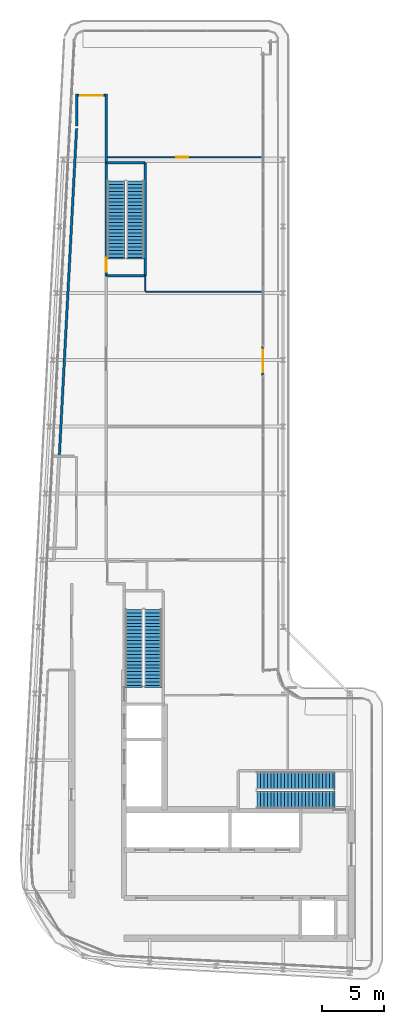
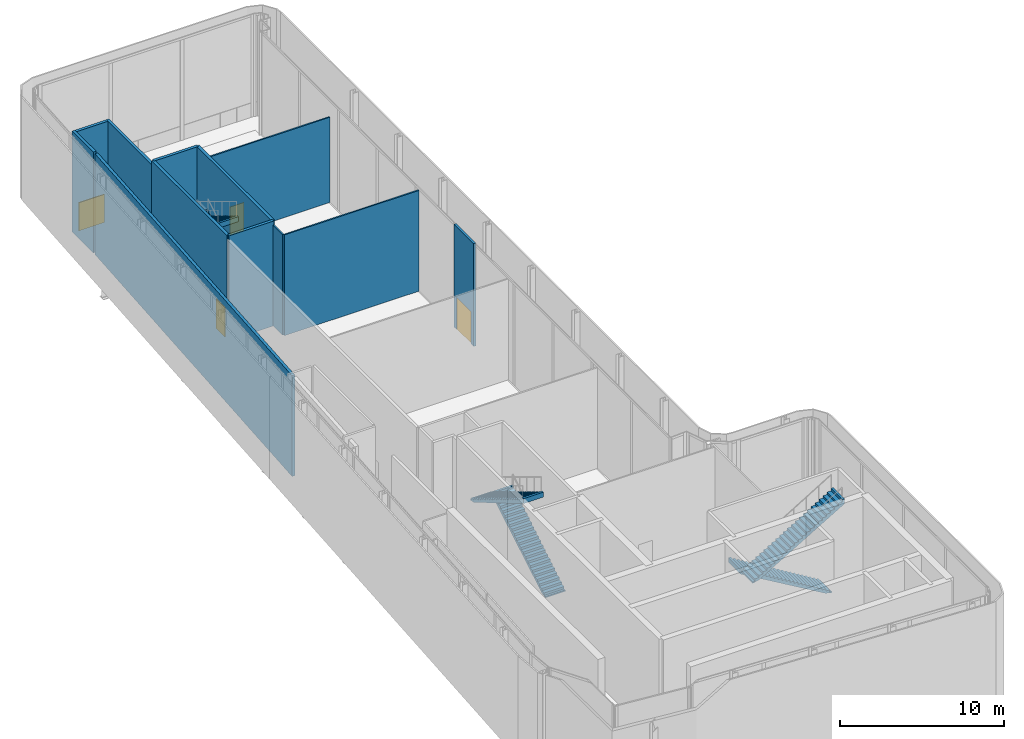
# One storey, part 18 of 23: 12 walls, 6 stair flights, 4 doors, 4 openings, 3 elements without a shape of their own.
"""IFC4 building model written with IfcOpenShell, lengths in metres."""

import ifcopenshell
import ifcopenshell.guid

model = None  # the IFC model being written
_history = None  # IfcOwnerHistory: only IFC2X3 demands one
_inside = {}  # id of a spatial element -> (the spatial element, [elements in it])
_under = {}  # id of a project, library or spatial element -> (it, [spatial elements below it])
_declared = {}  # id of a project -> (the project, [libraries it declares])
_typed = {}  # id of a type object -> (the type object, [elements of that type])
_made_of = {}  # id of a material, layer set ... -> (it, [elements and type objects made of it])


def new_model(schema):
    """Start an empty IFC model of exactly this schema.

    Asked for "IFC4X3", IfcOpenShell would pick the latest addendum, in which some entities
    have other attributes; the version numbers below select the first issue.
    IFC2X3 requires an IfcOwnerHistory on every rooted entity: one is made here for all.
    """
    global model, _history
    if schema == "IFC4X3":
        model = ifcopenshell.file(schema_version=(4, 3, 0, 0))
    else:
        model = ifcopenshell.file(schema=schema)
    _inside.clear()
    _under.clear()
    _declared.clear()
    _typed.clear()
    _made_of.clear()
    _history = None
    if model.schema == "IFC2X3":
        org = make("IfcOrganization", Name="unknown")
        user = make(
            "IfcPersonAndOrganization",
            ThePerson=make("IfcPerson", FamilyName="unknown"),
            TheOrganization=org,
        )
        app = make(
            "IfcApplication",
            ApplicationDeveloper=org,
            Version="unknown",
            ApplicationFullName="unknown",
            ApplicationIdentifier="unknown",
        )
        _history = make(
            "IfcOwnerHistory",
            OwningUser=user,
            OwningApplication=app,
            ChangeAction="ADDED",
            CreationDate=0,
        )
    return model


def make(cls, **values):
    """One entity of the class cls with the attributes given. An attribute that is None is left unset."""
    return model.create_entity(
        cls, **{name: value for name, value in values.items() if value is not None}
    )


def rooted(cls, **values):
    """An entity with a GlobalId (a new one), such as an element, a storey or a relation."""
    return make(cls, GlobalId=ifcopenshell.guid.new(), OwnerHistory=_history, **values)


def si_unit(unit_type, name, prefix=None):
    """IfcSIUnit, for example si_unit("LENGTHUNIT", "METRE", prefix="MILLI")."""
    return make("IfcSIUnit", UnitType=unit_type, Prefix=prefix, Name=name)


def assignment(units):
    """IfcUnitAssignment: the units of a project."""
    return None if units is None else make("IfcUnitAssignment", Units=units)


def point(xyz):
    """IfcCartesianPoint."""
    return None if xyz is None else make("IfcCartesianPoint", Coordinates=xyz)


def direction(xyz):
    """IfcDirection."""
    return None if xyz is None else make("IfcDirection", DirectionRatios=xyz)


def frame(location, z_axis=None, x_axis=None):
    """IfcAxis2Placement3D, a coordinate frame: its origin and axes. An axis left out is left unset."""
    return make(
        "IfcAxis2Placement3D",
        Location=point(location),
        Axis=direction(z_axis),
        RefDirection=direction(x_axis),
    )


def frame_2d(location, x_axis=None):
    """IfcAxis2Placement2D, a coordinate frame in the plane: its origin and x axis."""
    return make(
        "IfcAxis2Placement2D", Location=point(location), RefDirection=direction(x_axis)
    )


def origin():
    """The frame at (0, 0, 0) with its axes left unset."""
    return frame((0.0, 0.0, 0.0))


def place(relative_to, where):
    """IfcLocalPlacement: puts the frame where relative to a parent placement (None: the world)."""
    return make(
        "IfcLocalPlacement", PlacementRelTo=relative_to, RelativePlacement=where
    )


def context(
    kind, dimensions, precision=None, world=None, true_north=None, identifier=None
):
    """IfcGeometricRepresentationContext, for example the 3D "Model" context."""
    return make(
        "IfcGeometricRepresentationContext",
        ContextIdentifier=identifier,
        ContextType=kind,
        CoordinateSpaceDimension=dimensions,
        Precision=precision,
        WorldCoordinateSystem=world,
        TrueNorth=true_north,
    )


def subcontext(parent, identifier, kind, view, scale=None):
    """IfcGeometricRepresentationSubContext, for example "Body" below "Model"."""
    return make(
        "IfcGeometricRepresentationSubContext",
        ContextIdentifier=identifier,
        ContextType=kind,
        ParentContext=parent,
        TargetScale=scale,
        TargetView=view,
    )


def project(units=None, contexts=None):
    """IfcProject with its units and contexts."""
    return rooted(
        "IfcProject",
        Name="project",
        RepresentationContexts=contexts,
        UnitsInContext=assignment(units),
    )


def spatial(cls, under=None, at=None, **own):
    """A site, building, storey or space (cls), placed at a placement, below another one or the project."""
    s = rooted(cls, ObjectPlacement=at, **own)
    if under is not None:
        _under.setdefault(under.id(), (under, []))[1].append(s)
    return s


def polyline(points):
    """IfcPolyline through the points."""
    return make("IfcPolyline", Points=[point(p) for p in points])


def profile(cls, at=None, kind="AREA", **sizes):
    """A parametric profile (cls). Its sizes go by their IFC names, for example OverallWidth=200.0."""
    return make(cls, ProfileType=kind, Position=at, **sizes)


def rectangle(**sizes):
    """IfcRectangleProfileDef."""
    return profile("IfcRectangleProfileDef", **sizes)


def outline(outer, holes=None, kind="AREA"):
    """IfcArbitraryClosedProfileDef: a profile drawn as a closed curve; with holes, ...WithVoids."""
    if holes is None:
        return make("IfcArbitraryClosedProfileDef", ProfileType=kind, OuterCurve=outer)
    return make(
        "IfcArbitraryProfileDefWithVoids",
        ProfileType=kind,
        OuterCurve=outer,
        InnerCurves=holes,
    )


def extrude(swept, where, along, depth):
    """IfcExtrudedAreaSolid: the profile swept, set in the frame where, extruded along a direction by depth."""
    return make(
        "IfcExtrudedAreaSolid",
        SweptArea=swept,
        Position=where,
        ExtrudedDirection=direction(along),
        Depth=depth,
    )


def shape(context_of_items, identifier, shape_type, items):
    """IfcShapeRepresentation: the items that make up one representation, for example the "Body"."""
    return make(
        "IfcShapeRepresentation",
        ContextOfItems=context_of_items,
        RepresentationIdentifier=identifier,
        RepresentationType=shape_type,
        Items=items,
    )


def source(mapping_origin, context_of_items, identifier, shape_type, items):
    """IfcRepresentationMap: a shape defined once, which mapped items show again and again."""
    return make(
        "IfcRepresentationMap",
        MappingOrigin=mapping_origin,
        MappedRepresentation=shape(context_of_items, identifier, shape_type, items),
    )


def transform(
    local_origin,
    x_axis=None,
    y_axis=None,
    z_axis=None,
    scale=None,
    scale2=None,
    scale3=None,
    uniform=True,
):
    """IfcCartesianTransformationOperator3D, or its non-uniform kind. x_axis, y_axis, z_axis: its Axis1, 2, 3."""
    if uniform:
        return make(
            "IfcCartesianTransformationOperator3D",
            Axis1=direction(x_axis),
            Axis2=direction(y_axis),
            LocalOrigin=point(local_origin),
            Scale=scale,
            Axis3=direction(z_axis),
        )
    return make(
        "IfcCartesianTransformationOperator3DnonUniform",
        Axis1=direction(x_axis),
        Axis2=direction(y_axis),
        LocalOrigin=point(local_origin),
        Scale=scale,
        Axis3=direction(z_axis),
        Scale2=scale2,
        Scale3=scale3,
    )


def mapped(mapping_source, mapping_target):
    """IfcMappedItem: shows the shape of a source again, moved by a transform."""
    return make(
        "IfcMappedItem", MappingSource=mapping_source, MappingTarget=mapping_target
    )


def material(Name=None, Category=None):
    """IfcMaterial."""
    return make("IfcMaterial", Name=Name, Category=Category)


def layer(
    of_material, thickness, ventilated=None, Name=None, Category=None, Priority=None
):
    """IfcMaterialLayer: one layer of a wall or slab, of a material (None: an air gap)."""
    return make(
        "IfcMaterialLayer",
        Material=of_material,
        LayerThickness=thickness,
        IsVentilated=ventilated,
        Name=Name,
        Category=Category,
        Priority=Priority,
    )


def layer_set(layers, Name=None):
    """IfcMaterialLayerSet."""
    return make("IfcMaterialLayerSet", MaterialLayers=layers, LayerSetName=Name)


def made_of(thing, what):
    """Note that an element or type object is made of a material, layer set ...; save() writes the relation."""
    if what is not None:
        _made_of.setdefault(what.id(), (what, []))[1].append(thing)
    return thing


def type_object(cls, material=None, **own):
    """A type object (cls), such as IfcWallType, which elements share."""
    return made_of(rooted(cls, **own), material)


def element(
    cls,
    number,
    at=None,
    inside=None,
    cuts=None,
    type_object=None,
    material=None,
    context=None,
    identifier="Body",
    shape_type=None,
    held_by="IfcProductDefinitionShape",
    body=None,
    shapes=None,
    **own,
):
    """One element of the class cls, such as IfcWall. Its Tag is "e" and its number.

    at: its placement. inside: the storey or other place that contains it. cuts: it is an
    opening in that element (IfcRelVoidsElement). A single representation is given by context,
    identifier, shape_type and body (its items); several are given by shapes. held_by: the class
    of the entity that holds the representations. save() writes the other relations.
    """
    e = rooted(cls, Tag="e%d" % number, ObjectPlacement=at, **own)
    if body is not None:
        shapes = [shape(context, identifier, shape_type, body)]
    if shapes is not None:
        e.Representation = make(held_by, Representations=shapes)
    if inside is not None:
        _inside.setdefault(inside.id(), (inside, []))[1].append(e)
    if cuts is not None:
        rooted(
            "IfcRelVoidsElement", RelatingBuildingElement=cuts, RelatedOpeningElement=e
        )
    if type_object is not None:
        _typed.setdefault(type_object.id(), (type_object, []))[1].append(e)
    return made_of(e, material)


def fill(opening, filler):
    """IfcRelFillsElement: the door or window that sits in an opening."""
    return rooted(
        "IfcRelFillsElement",
        RelatingOpeningElement=opening,
        RelatedBuildingElement=filler,
    )


def aggregate(whole, parts):
    """IfcRelAggregates: a whole, such as a stair, and the parts it consists of."""
    return rooted("IfcRelAggregates", RelatingObject=whole, RelatedObjects=parts)


def save(model, path):
    """Write the relations noted so far, then the file.

    IfcRelAggregates (storeys below a building ...), IfcRelContainedInSpatialStructure (elements
    in a storey), IfcRelDefinesByType, IfcRelAssociatesMaterial and IfcRelDeclares: one each for
    every whole, place, type object, material and project.
    """
    for whole, parts in _under.values():
        aggregate(whole, parts)
    for where, things in _inside.values():
        rooted(
            "IfcRelContainedInSpatialStructure",
            RelatedElements=things,
            RelatingStructure=where,
        )
    for kind, things in _typed.values():
        rooted("IfcRelDefinesByType", RelatedObjects=things, RelatingType=kind)
    for what, things in _made_of.values():
        rooted("IfcRelAssociatesMaterial", RelatedObjects=things, RelatingMaterial=what)
    for by, libraries in _declared.values():
        rooted("IfcRelDeclares", RelatingContext=by, RelatedDefinitions=libraries)
    model.write(path)


model = new_model("IFC4")

# Units and contexts
model_context = context("Model", 3, precision=1e-05, world=origin(), true_north=direction((0.0, 1.0)))
body_context = subcontext(model_context, "Body", "Model", "MODEL_VIEW")
ifc_project = project(units=[si_unit("LENGTHUNIT", "METRE"), si_unit("AREAUNIT", "SQUARE_METRE"), si_unit("VOLUMEUNIT", "CUBIC_METRE"), si_unit("PLANEANGLEUNIT", "RADIAN"), si_unit("MASSUNIT", "GRAM", prefix="KILO")], contexts=[model_context])

# Site, building, storey
site_placement = place(None, origin())
site = spatial("IfcSite", under=ifc_project, at=site_placement, CompositionType="ELEMENT")
building_placement = place(site_placement, origin())
building = spatial("IfcBuilding", under=site, at=building_placement, Name="Kheshtan School and Residences Tower", CompositionType="ELEMENT")
storey_placement = place(building_placement, frame((0.0, 0.0, 389.0)))
storey = spatial("IfcBuildingStorey", under=building, at=storey_placement, Name="L92", CompositionType="ELEMENT", Elevation=389.0)

# Walls
ifc_material_1 = material(Name="Gypsum board on steel studs with fire boards", Category="steel")
ifc_layer_1 = layer(ifc_material_1, 0.199951171875)
ifc_layer_set_1 = layer_set([ifc_layer_1], Name="Corridor wall 200")
wall_type_1 = type_object("IfcWallType", Name="Corridor wall 200", PredefinedType="PARTITIONING", material=ifc_layer_set_1)
wall_1_placement = place(storey_placement, frame((29.5048828125, 64.8740234375, 0.0), z_axis=(0.0, 0.0, 1.0), x_axis=(0.052618850307, 0.998614668725, 0.0)))
element("IfcWall", 1, at=wall_1_placement, inside=storey, type_object=wall_type_1, Name="Partition L92-008", PredefinedType="PARTITIONING", context=body_context, shape_type="SweptSolid", body=[
    extrude(rectangle(XDim=26.474609375, YDim=0.199951171875, at=frame_2d((13.2373046875, 0.0))), origin(), (0.0, 0.0, 1.0), 7.5),
])
wall_2_placement = place(storey_placement, frame((30.89990234375, 91.511962890625, 0.0), z_axis=(0.0, 0.0, 1.0), x_axis=(0.0, 1.0, 0.0)))
element("IfcWall", 2, at=wall_2_placement, inside=storey, type_object=wall_type_1, Name="Partition L92-010", PredefinedType="PARTITIONING", context=body_context, shape_type="SweptSolid", body=[
    extrude(rectangle(XDim=2.588134765625, YDim=0.199951171875, at=frame_2d((1.2939453125, 0.0))), origin(), (0.0, 0.0, 1.0), 7.5),
])

# Wall, opening, door
wall_3_placement = place(storey_placement, frame((31.0, 94.0, 0.0), z_axis=(0.0, 0.0, 1.0), x_axis=(1.0, 0.0, 0.0)))
wall_3 = element("IfcWall", 3, at=wall_3_placement, inside=storey, type_object=wall_type_1, Name="Partition L92-011", PredefinedType="PARTITIONING", context=body_context, shape_type="SweptSolid", body=[
    extrude(rectangle(XDim=2.199951171875, YDim=0.199951171875, at=frame_2d((1.10009765625, 0.0))), origin(), (0.0, 0.0, 1.0), 7.5),
])
opening_1_placement = place(wall_3_placement, frame((0.197998046875, 0.0, 0.0)))
opening_1 = element("IfcOpeningElement", 4, at=opening_1_placement, cuts=wall_3, Name="Opening D92-009", PredefinedType="OPENING", context=body_context, shape_type="SweptSolid", body=[
    extrude(rectangle(XDim=1.800048828125, YDim=2.10009765625, at=frame_2d((0.89990234375, 1.050048828125))), frame((0.0, 0.10986328125, 0.0), z_axis=(0.0, -1.0, 0.0), x_axis=(1.0, 0.0, 0.0)), (0.0, 0.0, 1.0), 0.219970703125),
])
ifc_material_2 = material(Name="Steel-framed fire-resisting door leaf", Category="steel")
door_type_1 = type_object("IfcDoorType", Name="Fire double door FD60 1800 x 2100", OperationType="DOUBLE_DOOR_SINGLE_SWING", PredefinedType="DOOR", material=ifc_material_2)
shared_shape_1 = source(origin(), body_context, "Body", "SweptSolid", [
    extrude(rectangle(XDim=1.800048828125, YDim=2.10009765625, at=frame_2d((0.89990234375, 1.050048828125))), frame((0.0, 0.02490234375, 0.0), z_axis=(0.0, -1.0, 0.0), x_axis=(1.0, 0.0, 0.0)), (0.0, 0.0, 1.0), 0.050048828125),
])
door_1_placement = place(opening_1_placement, origin())
door_1 = element("IfcDoor", 5, at=door_1_placement, inside=storey, type_object=door_type_1, Name="Door D92-009", OperationType="DOUBLE_DOOR_SINGLE_SWING", OverallHeight=2.10009765625, OverallWidth=1.800048828125, PredefinedType="DOOR", context=body_context, shape_type="MappedRepresentation", body=[
    mapped(shared_shape_1, transform((0.0, 0.0, 0.0), x_axis=(1.0, 0.0, 0.0), y_axis=(0.0, 1.0, 0.0), z_axis=(0.0, 0.0, 1.0), scale=1.0)),
])
fill(opening_1, door_1)

# Wall
wall_4_placement = place(storey_placement, frame((33.300048828125, 88.56005859375, 0.0), z_axis=(0.0, 0.0, 1.0), x_axis=(0.0, 1.0, 0.0)))
element("IfcWall", 6, at=wall_4_placement, inside=storey, type_object=wall_type_1, Name="Partition L92-013", PredefinedType="PARTITIONING", context=body_context, shape_type="SweptSolid", body=[
    extrude(rectangle(XDim=5.5400390625, YDim=0.199951171875, at=frame_2d((2.77001953125, 0.0))), origin(), (0.0, 0.0, 1.0), 7.5),
])

# Wall, opening, door
ifc_material_3 = material(Name="Aluminium frame wall with insulated infill", Category="aluminium")
ifc_layer_2 = layer(ifc_material_3, 0.14990234375)
ifc_layer_set_2 = layer_set([ifc_layer_2], Name="Glazing frame wall 150")
wall_type_2 = type_object("IfcWallType", Name="Glazing frame wall 150", PredefinedType="SOLIDWALL", material=ifc_layer_set_2)
wall_5_placement = place(storey_placement, frame((45.97509765625, 73.699951171875, 0.0), z_axis=(0.0, 0.0, 1.0), x_axis=(0.0, -1.0, 0.0)))
wall_5 = element("IfcWall", 7, at=wall_5_placement, inside=storey, type_object=wall_type_2, Name="Terrace door wall L92 19", PredefinedType="SOLIDWALL", context=body_context, shape_type="SweptSolid", body=[
    extrude(rectangle(XDim=2.39990234375, YDim=0.14990234375, at=frame_2d((1.199951171875, 0.0))), origin(), (0.0, 0.0, 1.0), 7.64990234375),
])
opening_2_placement = place(wall_5_placement, frame((0.300048828125, 0.0, 0.0)))
opening_2 = element("IfcOpeningElement", 8, at=opening_2_placement, cuts=wall_5, Name="Opening BD", PredefinedType="OPENING", context=body_context, shape_type="SweptSolid", body=[
    extrude(rectangle(XDim=1.800048828125, YDim=2.39990234375, at=frame_2d((0.89990234375, 1.199951171875))), frame((0.0, 0.0849609375, 0.0), z_axis=(0.0, -1.0, 0.0), x_axis=(1.0, 0.0, 0.0)), (0.0, 0.0, 1.0), 0.169921875),
])
ifc_material_4 = material(Name="Clear low-e glass in thermally broken aluminium frame", Category="aluminium")
door_type_2 = type_object("IfcDoorType", Name="Balcony sliding door", OperationType="SLIDING_TO_LEFT", PredefinedType="DOOR", material=ifc_material_4)
shared_shape_2 = source(origin(), body_context, "Body", "SweptSolid", [
    extrude(rectangle(XDim=1.800048828125, YDim=2.39990234375, at=frame_2d((0.89990234375, 1.199951171875))), frame((0.0, 0.02490234375, 0.0), z_axis=(0.0, -1.0, 0.0), x_axis=(1.0, 0.0, 0.0)), (0.0, 0.0, 1.0), 0.050048828125),
])
door_2_placement = place(opening_2_placement, origin())
door_2 = element("IfcDoor", 9, at=door_2_placement, inside=storey, type_object=door_type_2, Name="Terrace door L92 19", OperationType="SLIDING_TO_LEFT", OverallHeight=2.39990234375, OverallWidth=1.800048828125, PredefinedType="DOOR", context=body_context, shape_type="MappedRepresentation", body=[
    mapped(shared_shape_2, transform((0.0, 0.0, 0.0), x_axis=(1.0, 0.0, 0.0), y_axis=(0.0, 1.0, 0.0), z_axis=(0.0, 0.0, 1.0), scale=1.0)),
])
fill(opening_2, door_2)

ifc_material_5 = material(Name="Gypsum board on steel studs", Category="steel")
ifc_layer_3 = layer(ifc_material_5, 0.10009765625)
ifc_layer_set_3 = layer_set([ifc_layer_3], Name="Gypsum partition 100")
wall_type_3 = type_object("IfcWallType", Name="Gypsum partition 100", PredefinedType="PARTITIONING", material=ifc_layer_set_3)
wall_6_placement = place(storey_placement, frame((33.39990234375, 88.990966796875, 0.0), z_axis=(0.0, 0.0, 1.0), x_axis=(1.0, 0.0, 0.0)))
wall_6 = element("IfcWall", 10, at=wall_6_placement, inside=storey, type_object=wall_type_3, Name="Partition L92-019", PredefinedType="PARTITIONING", context=body_context, shape_type="SweptSolid", body=[
    extrude(rectangle(XDim=12.570068359375, YDim=0.10009765625, at=frame_2d((6.28515625, 0.0))), origin(), (0.0, 0.0, 1.0), 6.35009765625),
])
opening_3_placement = place(wall_6_placement, frame((5.550048828125, 0.0, 0.0)))
opening_3 = element("IfcOpeningElement", 11, at=opening_3_placement, cuts=wall_6, Name="Opening D92-010", PredefinedType="OPENING", context=body_context, shape_type="SweptSolid", body=[
    extrude(rectangle(XDim=1.0, YDim=2.10009765625, at=frame_2d((0.5, 1.050048828125))), frame((0.0, 0.06005859375, 0.0), z_axis=(0.0, -1.0, 0.0), x_axis=(1.0, 0.0, 0.0)), (0.0, 0.0, 1.0), 0.1201171875),
])
ifc_material_6 = material(Name="Veneered timber door leaf", Category="wood")
door_type_3 = type_object("IfcDoorType", Name="Door 1000 x 2100", OperationType="SINGLE_SWING_LEFT", PredefinedType="DOOR", material=ifc_material_6)
shared_shape_3 = source(origin(), body_context, "Body", "SweptSolid", [
    extrude(rectangle(XDim=1.0, YDim=2.10009765625, at=frame_2d((0.5, 1.050048828125))), frame((0.0, 0.02490234375, 0.0), z_axis=(0.0, -1.0, 0.0), x_axis=(1.0, 0.0, 0.0)), (0.0, 0.0, 1.0), 0.050048828125),
])
door_3_placement = place(opening_3_placement, origin())
door_3 = element("IfcDoor", 12, at=door_3_placement, inside=storey, type_object=door_type_3, Name="Door D92-010", OperationType="SINGLE_SWING_LEFT", OverallHeight=2.10009765625, OverallWidth=1.0, PredefinedType="DOOR", context=body_context, shape_type="MappedRepresentation", body=[
    mapped(shared_shape_3, transform((0.0, 0.0, 0.0), x_axis=(1.0, 0.0, 0.0), y_axis=(0.0, 1.0, 0.0), z_axis=(0.0, 0.0, 1.0), scale=1.0)),
])
fill(opening_3, door_3)

# Walls
wall_7_placement = place(storey_placement, frame((36.451904296875, 78.162109375, 0.0), z_axis=(0.0, 0.0, 1.0), x_axis=(0.001775145132, 0.999998424429, 0.0)))
element("IfcWall", 13, at=wall_7_placement, inside=storey, type_object=wall_type_3, Name="Partition L92-021", PredefinedType="PARTITIONING", context=body_context, shape_type="SweptSolid", body=[
    extrude(rectangle(XDim=1.23779296875, YDim=0.10009765625, at=frame_2d((0.618896484375, 0.0))), origin(), (0.0, 0.0, 1.0), 7.5),
])
wall_8_placement = place(storey_placement, frame((36.498046875, 78.112060546875, 0.0), z_axis=(0.0, 0.0, 1.0), x_axis=(1.0, 0.0, 0.0)))
element("IfcWall", 14, at=wall_8_placement, inside=storey, type_object=wall_type_3, Name="Partition L92-022", PredefinedType="PARTITIONING", context=body_context, shape_type="SweptSolid", body=[
    extrude(rectangle(XDim=9.471923828125, YDim=0.10009765625, at=frame_2d((4.73583984375, 0.0))), origin(), (0.0, 0.0, 1.0), 7.5),
])
ifc_material_7 = material(Name="Concrete C40/50", Category="concrete")
ifc_layer_4 = layer(ifc_material_7, 0.199951171875)
ifc_layer_set_4 = layer_set([ifc_layer_4], Name="Stair enclosure wall 200 Concrete C40/50")
wall_type_4 = type_object("IfcWallType", Name="Stair enclosure wall 200 Concrete C40/50", PredefinedType="SHEAR", material=ifc_layer_set_4)
for number, where, z_axis, x_axis, name in (
    (15, (33.300048828125, 79.39990234375, 0.0), (0.0, 0.0, 1.0), (1.0, 0.0, 0.0), "Stair enclosure wall ST3"),
    (16, (33.300048828125, 88.56005859375, 0.0), (0.0, 0.0, 1.0), (1.0, 0.0, 0.0), "Stair enclosure wall ST3"),
):
    element("IfcWall", number, at=place(storey_placement, frame(where, z_axis=z_axis, x_axis=x_axis)), inside=storey, type_object=wall_type_4, Name=name, PredefinedType="SHEAR", context=body_context, shape_type="SweptSolid", body=[
        extrude(rectangle(XDim=3.14990234375, YDim=0.199951171875, at=frame_2d((1.574951171875, 0.0))), origin(), (0.0, 0.0, 1.0), 7.800048828125),
    ])

# Wall, opening, door
wall_9_placement = place(storey_placement, frame((33.300048828125, 79.39990234375, 0.0), z_axis=(0.0, 0.0, 1.0), x_axis=(0.0, 1.0, 0.0)))
wall_9 = element("IfcWall", 17, at=wall_9_placement, inside=storey, type_object=wall_type_4, Name="Stair enclosure wall ST3", PredefinedType="SHEAR", context=body_context, shape_type="SweptSolid", body=[
    extrude(rectangle(XDim=9.16015625, YDim=0.199951171875, at=frame_2d((4.580078125, 0.0))), origin(), (0.0, 0.0, 1.0), 7.800048828125),
])
opening_4_placement = place(wall_9_placement, frame((0.35009765625, 0.0, 0.0)))
opening_4 = element("IfcOpeningElement", 18, at=opening_4_placement, cuts=wall_9, Name="Opening ST3D", PredefinedType="OPENING", context=body_context, shape_type="SweptSolid", body=[
    extrude(rectangle(XDim=1.10009765625, YDim=2.199951171875, at=frame_2d((0.550048828125, 1.10009765625))), frame((0.0, 0.10986328125, 0.0), z_axis=(0.0, -1.0, 0.0), x_axis=(1.0, 0.0, 0.0)), (0.0, 0.0, 1.0), 0.219970703125),
])
ifc_material_8 = material(Name="Steel door leaf, galvanised", Category="steel")
door_type_4 = type_object("IfcDoorType", Name="Stair door 1100 steel 90 min", OperationType="SINGLE_SWING_LEFT", PredefinedType="DOOR", material=ifc_material_8)
shared_shape_4 = source(origin(), body_context, "Body", "SweptSolid", [
    extrude(rectangle(XDim=1.10009765625, YDim=2.199951171875, at=frame_2d((0.550048828125, 1.10009765625))), frame((0.0, 0.02490234375, 0.0), z_axis=(0.0, -1.0, 0.0), x_axis=(1.0, 0.0, 0.0)), (0.0, 0.0, 1.0), 0.050048828125),
])
door_4_placement = place(opening_4_placement, origin())
door_4 = element("IfcDoor", 19, at=door_4_placement, inside=storey, type_object=door_type_4, Name="Stair ST3 door", OperationType="SINGLE_SWING_RIGHT", OverallHeight=2.199951171875, OverallWidth=1.10009765625, PredefinedType="DOOR", context=body_context, shape_type="MappedRepresentation", body=[
    mapped(shared_shape_4, transform((0.0, 0.0, 0.0), x_axis=(1.0, 0.0, 0.0), y_axis=(0.0, 1.0, 0.0), z_axis=(0.0, 0.0, 1.0), scale=1.0)),
])
fill(opening_4, door_4)

# Wall
wall_10_placement = place(storey_placement, frame((36.449951171875, 79.39990234375, 0.0), z_axis=(0.0, 0.0, 1.0), x_axis=(0.0, 1.0, 0.0)))
element("IfcWall", 20, at=wall_10_placement, inside=storey, type_object=wall_type_4, Name="Stair enclosure wall ST3", PredefinedType="SHEAR", context=body_context, shape_type="SweptSolid", body=[
    extrude(rectangle(XDim=9.16015625, YDim=0.199951171875, at=frame_2d((4.580078125, 0.0))), origin(), (0.0, 0.0, 1.0), 7.800048828125),
])

# Stair, stair flights
stair_type = type_object("IfcStairType", Name="Exit stair, half-turn", PredefinedType="HALF_TURN_STAIR", material=ifc_material_7)
stair_1_placement = place(storey_placement, origin())
stair_1 = element("IfcStair", 21, at=stair_1_placement, inside=storey, type_object=stair_type, Name="L92 Protected Exit Stair ST1", PredefinedType="HALF_TURN_STAIR")
ifc_layer_5 = layer(ifc_material_7, 0.14990234375)
ifc_layer_set_5 = layer_set([ifc_layer_5], Name="Stair flight 1400 Concrete C40/50")
stair_flight_type = type_object("IfcStairFlightType", Name="Stair flight 1400 Concrete C40/50", PredefinedType="STRAIGHT", material=ifc_layer_set_5)
stair_flight_1_placement = place(storey_placement, frame((51.64990234375, 38.550048828125, 0.0), z_axis=(0.0, 0.0, 1.0), x_axis=(-1.0, 0.0, 0.0)))
stair_flight_1 = element("IfcStairFlight", 22, at=stair_flight_1_placement, type_object=stair_flight_type, Name="ST1 flight 1", NumberOfRisers=23, NumberOfTreads=22, PredefinedType="STRAIGHT", RiserHeight=0.169565217, TreadLength=0.28, context=body_context, shape_type="SweptSolid", body=[
    extrude(outline(polyline([(-0.14990234375, -0.10009765625), (-0.14990234375, 0.0), (0.0, 0.0), (0.0, 0.169677734375), (0.280029296875, 0.169677734375), (0.280029296875, 0.339111328125), (0.56005859375, 0.339111328125), (0.56005859375, 0.5087890625), (0.840087890625, 0.5087890625), (0.840087890625, 0.67822265625), (1.1201171875, 0.67822265625), (1.1201171875, 0.847900390625), (1.39990234375, 0.847900390625), (1.39990234375, 1.017333984375), (1.679931640625, 1.017333984375), (1.679931640625, 1.18701171875), (1.9599609375, 1.18701171875), (1.9599609375, 1.3564453125), (2.239990234375, 1.3564453125), (2.239990234375, 1.526123046875), (2.52001953125, 1.526123046875), (2.52001953125, 1.695556640625), (2.800048828125, 1.695556640625), (2.800048828125, 1.865234375), (3.080078125, 1.865234375), (3.080078125, 2.03466796875), (3.360107421875, 2.03466796875), (3.360107421875, 2.204345703125), (3.639892578125, 2.204345703125), (3.639892578125, 2.3740234375), (3.919921875, 2.3740234375), (3.919921875, 2.54345703125), (4.199951171875, 2.54345703125), (4.199951171875, 2.713134765625), (4.47998046875, 2.713134765625), (4.47998046875, 2.882568359375), (4.760009765625, 2.882568359375), (4.760009765625, 3.05224609375), (5.0400390625, 3.05224609375), (5.0400390625, 3.2216796875), (5.320068359375, 3.2216796875), (5.320068359375, 3.391357421875), (5.60009765625, 3.391357421875), (5.60009765625, 3.560791015625), (5.8798828125, 3.560791015625), (5.8798828125, 3.73046875), (6.159912109375, 3.73046875), (6.159912109375, 3.89990234375), (6.159912109375, 3.919921875), (6.309814453125, 3.919921875), (6.309814453125, 3.55517578125), (0.289306640625, 0.0), (-0.14990234375, -0.10009765625)])), frame((0.0, 0.699951171875, 0.0), z_axis=(0.0, -1.0, 0.0), x_axis=(1.0, 0.0, 0.0)), (0.0, 0.0, 1.0), 1.39990234375),
])
stair_flight_2_placement = place(storey_placement, frame((45.489990234375, 37.0, 3.89990234375), z_axis=(0.0, 0.0, 1.0), x_axis=(1.0, 0.0, 0.0)))
stair_flight_2 = element("IfcStairFlight", 23, at=stair_flight_2_placement, type_object=stair_flight_type, Name="ST1 flight 2", NumberOfRisers=23, NumberOfTreads=22, PredefinedType="STRAIGHT", RiserHeight=0.169565217, TreadLength=0.28, context=body_context, shape_type="SweptSolid", body=[
    extrude(outline(polyline([(-0.14990234375, -0.10009765625), (-0.14990234375, 0.0), (0.0, 0.0), (0.0, 0.169677734375), (0.280029296875, 0.169677734375), (0.280029296875, 0.339111328125), (0.56005859375, 0.339111328125), (0.56005859375, 0.5087890625), (0.840087890625, 0.5087890625), (0.840087890625, 0.67822265625), (1.1201171875, 0.67822265625), (1.1201171875, 0.847900390625), (1.39990234375, 0.847900390625), (1.39990234375, 1.017333984375), (1.679931640625, 1.017333984375), (1.679931640625, 1.18701171875), (1.9599609375, 1.18701171875), (1.9599609375, 1.3564453125), (2.239990234375, 1.3564453125), (2.239990234375, 1.526123046875), (2.52001953125, 1.526123046875), (2.52001953125, 1.695556640625), (2.800048828125, 1.695556640625), (2.800048828125, 1.865234375), (3.080078125, 1.865234375), (3.080078125, 2.03466796875), (3.360107421875, 2.03466796875), (3.360107421875, 2.204345703125), (3.639892578125, 2.204345703125), (3.639892578125, 2.3740234375), (3.919921875, 2.3740234375), (3.919921875, 2.54345703125), (4.199951171875, 2.54345703125), (4.199951171875, 2.713134765625), (4.47998046875, 2.713134765625), (4.47998046875, 2.882568359375), (4.760009765625, 2.882568359375), (4.760009765625, 3.05224609375), (5.0400390625, 3.05224609375), (5.0400390625, 3.2216796875), (5.320068359375, 3.2216796875), (5.320068359375, 3.391357421875), (5.60009765625, 3.391357421875), (5.60009765625, 3.560791015625), (5.8798828125, 3.560791015625), (5.8798828125, 3.73046875), (6.159912109375, 3.73046875), (6.159912109375, 3.89990234375), (6.159912109375, 3.919921875), (6.309814453125, 3.919921875), (6.309814453125, 3.55517578125), (0.289306640625, 0.0), (-0.14990234375, -0.10009765625)])), frame((0.0, 0.699951171875, 0.0), z_axis=(0.0, -1.0, 0.0), x_axis=(1.0, 0.0, 0.0)), (0.0, 0.0, 1.0), 1.39990234375),
])
aggregate(stair_1, [stair_flight_1, stair_flight_2])

stair_2_placement = place(storey_placement, origin())
stair_2 = element("IfcStair", 24, at=stair_2_placement, inside=storey, type_object=stair_type, Name="L92 Protected Exit Stair ST2", PredefinedType="HALF_TURN_STAIR")
stair_flight_3_placement = place(storey_placement, frame((37.10009765625, 46.25, 0.0), z_axis=(0.0, 0.0, 1.0), x_axis=(0.0, 1.0, 0.0)))
stair_flight_3 = element("IfcStairFlight", 25, at=stair_flight_3_placement, type_object=stair_flight_type, Name="ST2 flight 1", NumberOfRisers=23, NumberOfTreads=22, PredefinedType="STRAIGHT", RiserHeight=0.169565217, TreadLength=0.28, context=body_context, shape_type="SweptSolid", body=[
    extrude(outline(polyline([(-0.14990234375, -0.10009765625), (-0.14990234375, 0.0), (0.0, 0.0), (0.0, 0.169677734375), (0.280029296875, 0.169677734375), (0.280029296875, 0.339111328125), (0.56005859375, 0.339111328125), (0.56005859375, 0.5087890625), (0.840087890625, 0.5087890625), (0.840087890625, 0.67822265625), (1.1201171875, 0.67822265625), (1.1201171875, 0.847900390625), (1.39990234375, 0.847900390625), (1.39990234375, 1.017333984375), (1.679931640625, 1.017333984375), (1.679931640625, 1.18701171875), (1.9599609375, 1.18701171875), (1.9599609375, 1.3564453125), (2.239990234375, 1.3564453125), (2.239990234375, 1.526123046875), (2.52001953125, 1.526123046875), (2.52001953125, 1.695556640625), (2.800048828125, 1.695556640625), (2.800048828125, 1.865234375), (3.080078125, 1.865234375), (3.080078125, 2.03466796875), (3.360107421875, 2.03466796875), (3.360107421875, 2.204345703125), (3.639892578125, 2.204345703125), (3.639892578125, 2.3740234375), (3.919921875, 2.3740234375), (3.919921875, 2.54345703125), (4.199951171875, 2.54345703125), (4.199951171875, 2.713134765625), (4.47998046875, 2.713134765625), (4.47998046875, 2.882568359375), (4.760009765625, 2.882568359375), (4.760009765625, 3.05224609375), (5.0400390625, 3.05224609375), (5.0400390625, 3.2216796875), (5.320068359375, 3.2216796875), (5.320068359375, 3.391357421875), (5.60009765625, 3.391357421875), (5.60009765625, 3.560791015625), (5.8798828125, 3.560791015625), (5.8798828125, 3.73046875), (6.159912109375, 3.73046875), (6.159912109375, 3.89990234375), (6.159912109375, 3.919921875), (6.309814453125, 3.919921875), (6.309814453125, 3.55517578125), (0.289306640625, 0.0), (-0.14990234375, -0.10009765625)])), frame((0.0, 0.699951171875, 0.0), z_axis=(0.0, -1.0, 0.0), x_axis=(1.0, 0.0, 0.0)), (0.0, 0.0, 1.0), 1.39990234375),
])
stair_flight_4_placement = place(storey_placement, frame((35.550048828125, 52.409912109375, 3.89990234375), z_axis=(0.0, 0.0, 1.0), x_axis=(0.0, -1.0, 0.0)))
stair_flight_4 = element("IfcStairFlight", 26, at=stair_flight_4_placement, type_object=stair_flight_type, Name="ST2 flight 2", NumberOfRisers=23, NumberOfTreads=22, PredefinedType="STRAIGHT", RiserHeight=0.169565217, TreadLength=0.28, context=body_context, shape_type="SweptSolid", body=[
    extrude(outline(polyline([(-0.14990234375, -0.10009765625), (-0.14990234375, 0.0), (0.0, 0.0), (0.0, 0.169677734375), (0.280029296875, 0.169677734375), (0.280029296875, 0.339111328125), (0.56005859375, 0.339111328125), (0.56005859375, 0.5087890625), (0.840087890625, 0.5087890625), (0.840087890625, 0.67822265625), (1.1201171875, 0.67822265625), (1.1201171875, 0.847900390625), (1.39990234375, 0.847900390625), (1.39990234375, 1.017333984375), (1.679931640625, 1.017333984375), (1.679931640625, 1.18701171875), (1.9599609375, 1.18701171875), (1.9599609375, 1.3564453125), (2.239990234375, 1.3564453125), (2.239990234375, 1.526123046875), (2.52001953125, 1.526123046875), (2.52001953125, 1.695556640625), (2.800048828125, 1.695556640625), (2.800048828125, 1.865234375), (3.080078125, 1.865234375), (3.080078125, 2.03466796875), (3.360107421875, 2.03466796875), (3.360107421875, 2.204345703125), (3.639892578125, 2.204345703125), (3.639892578125, 2.3740234375), (3.919921875, 2.3740234375), (3.919921875, 2.54345703125), (4.199951171875, 2.54345703125), (4.199951171875, 2.713134765625), (4.47998046875, 2.713134765625), (4.47998046875, 2.882568359375), (4.760009765625, 2.882568359375), (4.760009765625, 3.05224609375), (5.0400390625, 3.05224609375), (5.0400390625, 3.2216796875), (5.320068359375, 3.2216796875), (5.320068359375, 3.391357421875), (5.60009765625, 3.391357421875), (5.60009765625, 3.560791015625), (5.8798828125, 3.560791015625), (5.8798828125, 3.73046875), (6.159912109375, 3.73046875), (6.159912109375, 3.89990234375), (6.159912109375, 3.919921875), (6.309814453125, 3.919921875), (6.309814453125, 3.55517578125), (0.289306640625, 0.0), (-0.14990234375, -0.10009765625)])), frame((0.0, 0.699951171875, 0.0), z_axis=(0.0, -1.0, 0.0), x_axis=(1.0, 0.0, 0.0)), (0.0, 0.0, 1.0), 1.39990234375),
])
aggregate(stair_2, [stair_flight_3, stair_flight_4])

stair_3_placement = place(storey_placement, origin())
stair_3 = element("IfcStair", 27, at=stair_3_placement, inside=storey, type_object=stair_type, Name="L92 Protected Exit Stair ST3", PredefinedType="HALF_TURN_STAIR")
stair_flight_5_placement = place(storey_placement, frame((35.64990234375, 80.89990234375, 0.0), z_axis=(0.0, 0.0, 1.0), x_axis=(0.0, 1.0, 0.0)))
stair_flight_5 = element("IfcStairFlight", 28, at=stair_flight_5_placement, type_object=stair_flight_type, Name="ST3 flight 1", NumberOfRisers=23, NumberOfTreads=22, PredefinedType="STRAIGHT", RiserHeight=0.169565217, TreadLength=0.28, context=body_context, shape_type="SweptSolid", body=[
    extrude(outline(polyline([(-0.14990234375, -0.10009765625), (-0.14990234375, 0.0), (0.0, 0.0), (0.0, 0.169677734375), (0.280029296875, 0.169677734375), (0.280029296875, 0.339111328125), (0.56005859375, 0.339111328125), (0.56005859375, 0.5087890625), (0.840087890625, 0.5087890625), (0.840087890625, 0.67822265625), (1.1201171875, 0.67822265625), (1.1201171875, 0.847900390625), (1.39990234375, 0.847900390625), (1.39990234375, 1.017333984375), (1.679931640625, 1.017333984375), (1.679931640625, 1.18701171875), (1.9599609375, 1.18701171875), (1.9599609375, 1.3564453125), (2.239990234375, 1.3564453125), (2.239990234375, 1.526123046875), (2.52001953125, 1.526123046875), (2.52001953125, 1.695556640625), (2.800048828125, 1.695556640625), (2.800048828125, 1.865234375), (3.080078125, 1.865234375), (3.080078125, 2.03466796875), (3.360107421875, 2.03466796875), (3.360107421875, 2.204345703125), (3.639892578125, 2.204345703125), (3.639892578125, 2.3740234375), (3.919921875, 2.3740234375), (3.919921875, 2.54345703125), (4.199951171875, 2.54345703125), (4.199951171875, 2.713134765625), (4.47998046875, 2.713134765625), (4.47998046875, 2.882568359375), (4.760009765625, 2.882568359375), (4.760009765625, 3.05224609375), (5.0400390625, 3.05224609375), (5.0400390625, 3.2216796875), (5.320068359375, 3.2216796875), (5.320068359375, 3.391357421875), (5.60009765625, 3.391357421875), (5.60009765625, 3.560791015625), (5.8798828125, 3.560791015625), (5.8798828125, 3.73046875), (6.159912109375, 3.73046875), (6.159912109375, 3.89990234375), (6.159912109375, 3.919921875), (6.309814453125, 3.919921875), (6.309814453125, 3.55517578125), (0.289306640625, 0.0), (-0.14990234375, -0.10009765625)])), frame((0.0, 0.699951171875, 0.0), z_axis=(0.0, -1.0, 0.0), x_axis=(1.0, 0.0, 0.0)), (0.0, 0.0, 1.0), 1.39990234375),
])
stair_flight_6_placement = place(storey_placement, frame((34.10009765625, 87.06005859375, 3.89990234375), z_axis=(0.0, 0.0, 1.0), x_axis=(0.0, -1.0, 0.0)))
stair_flight_6 = element("IfcStairFlight", 29, at=stair_flight_6_placement, type_object=stair_flight_type, Name="ST3 flight 2", NumberOfRisers=23, NumberOfTreads=22, PredefinedType="STRAIGHT", RiserHeight=0.169565217, TreadLength=0.28, context=body_context, shape_type="SweptSolid", body=[
    extrude(outline(polyline([(-0.14990234375, -0.10009765625), (-0.14990234375, 0.0), (0.0, 0.0), (0.0, 0.169677734375), (0.280029296875, 0.169677734375), (0.280029296875, 0.339111328125), (0.56005859375, 0.339111328125), (0.56005859375, 0.5087890625), (0.840087890625, 0.5087890625), (0.840087890625, 0.67822265625), (1.1201171875, 0.67822265625), (1.1201171875, 0.847900390625), (1.39990234375, 0.847900390625), (1.39990234375, 1.017333984375), (1.679931640625, 1.017333984375), (1.679931640625, 1.18701171875), (1.9599609375, 1.18701171875), (1.9599609375, 1.3564453125), (2.239990234375, 1.3564453125), (2.239990234375, 1.526123046875), (2.52001953125, 1.526123046875), (2.52001953125, 1.695556640625), (2.800048828125, 1.695556640625), (2.800048828125, 1.865234375), (3.080078125, 1.865234375), (3.080078125, 2.03466796875), (3.360107421875, 2.03466796875), (3.360107421875, 2.204345703125), (3.639892578125, 2.204345703125), (3.639892578125, 2.3740234375), (3.919921875, 2.3740234375), (3.919921875, 2.54345703125), (4.199951171875, 2.54345703125), (4.199951171875, 2.713134765625), (4.47998046875, 2.713134765625), (4.47998046875, 2.882568359375), (4.760009765625, 2.882568359375), (4.760009765625, 3.05224609375), (5.0400390625, 3.05224609375), (5.0400390625, 3.2216796875), (5.320068359375, 3.2216796875), (5.320068359375, 3.391357421875), (5.60009765625, 3.391357421875), (5.60009765625, 3.560791015625), (5.8798828125, 3.560791015625), (5.8798828125, 3.73046875), (6.159912109375, 3.73046875), (6.159912109375, 3.89990234375), (6.159912109375, 3.919921875), (6.309814453125, 3.919921875), (6.309814453125, 3.55517578125), (0.289306640625, 0.0), (-0.14990234375, -0.10009765625)])), frame((0.0, 0.699951171875, 0.0), z_axis=(0.0, -1.0, 0.0), x_axis=(1.0, 0.0, 0.0)), (0.0, 0.0, 1.0), 1.39990234375),
])
aggregate(stair_3, [stair_flight_5, stair_flight_6])

save(model, "model.ifc")
